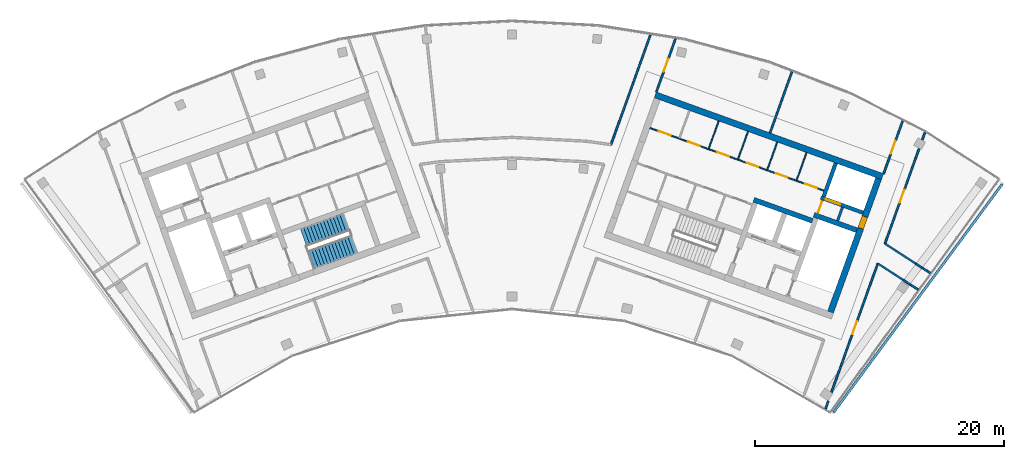
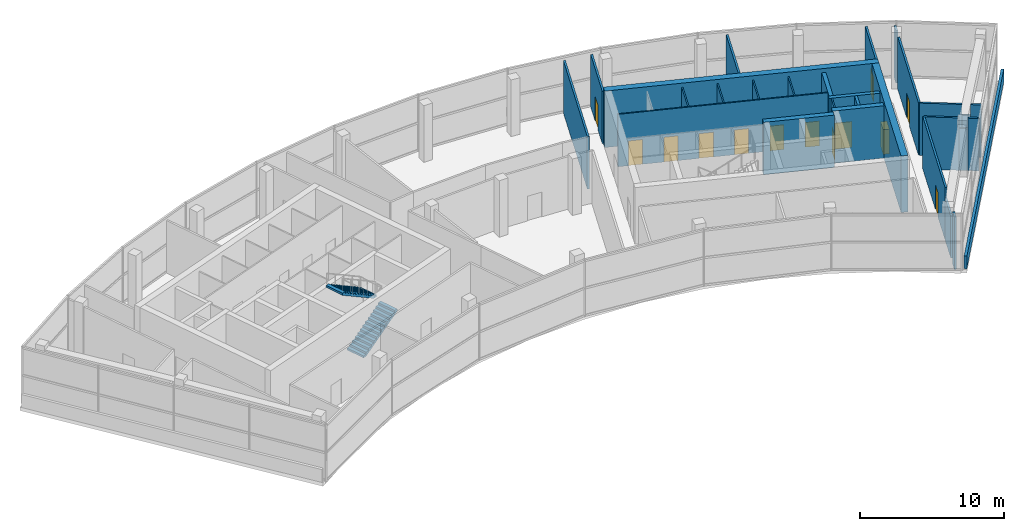
# One storey, part 11 of 13: 29 walls, 13 doors, 2 stair flights, 13 openings, 1 element without a shape of its own.
"""IFC4 building model written with IfcOpenShell, lengths in metres."""

import ifcopenshell
import ifcopenshell.guid

model = None  # the IFC model being written
_history = None  # IfcOwnerHistory: only IFC2X3 demands one
_inside = {}  # id of a spatial element -> (the spatial element, [elements in it])
_under = {}  # id of a project, library or spatial element -> (it, [spatial elements below it])
_declared = {}  # id of a project -> (the project, [libraries it declares])
_typed = {}  # id of a type object -> (the type object, [elements of that type])
_made_of = {}  # id of a material, layer set ... -> (it, [elements and type objects made of it])


def new_model(schema):
    """Start an empty IFC model of exactly this schema.

    Asked for "IFC4X3", IfcOpenShell would pick the latest addendum, in which some entities
    have other attributes; the version numbers below select the first issue.
    IFC2X3 requires an IfcOwnerHistory on every rooted entity: one is made here for all.
    """
    global model, _history
    if schema == "IFC4X3":
        model = ifcopenshell.file(schema_version=(4, 3, 0, 0))
    else:
        model = ifcopenshell.file(schema=schema)
    _inside.clear()
    _under.clear()
    _declared.clear()
    _typed.clear()
    _made_of.clear()
    _history = None
    if model.schema == "IFC2X3":
        org = make("IfcOrganization", Name="unknown")
        user = make(
            "IfcPersonAndOrganization",
            ThePerson=make("IfcPerson", FamilyName="unknown"),
            TheOrganization=org,
        )
        app = make(
            "IfcApplication",
            ApplicationDeveloper=org,
            Version="unknown",
            ApplicationFullName="unknown",
            ApplicationIdentifier="unknown",
        )
        _history = make(
            "IfcOwnerHistory",
            OwningUser=user,
            OwningApplication=app,
            ChangeAction="ADDED",
            CreationDate=0,
        )
    return model


def make(cls, **values):
    """One entity of the class cls with the attributes given. An attribute that is None is left unset."""
    return model.create_entity(
        cls, **{name: value for name, value in values.items() if value is not None}
    )


def rooted(cls, **values):
    """An entity with a GlobalId (a new one), such as an element, a storey or a relation."""
    return make(cls, GlobalId=ifcopenshell.guid.new(), OwnerHistory=_history, **values)


def si_unit(unit_type, name, prefix=None):
    """IfcSIUnit, for example si_unit("LENGTHUNIT", "METRE", prefix="MILLI")."""
    return make("IfcSIUnit", UnitType=unit_type, Prefix=prefix, Name=name)


def assignment(units):
    """IfcUnitAssignment: the units of a project."""
    return None if units is None else make("IfcUnitAssignment", Units=units)


def point(xyz):
    """IfcCartesianPoint."""
    return None if xyz is None else make("IfcCartesianPoint", Coordinates=xyz)


def direction(xyz):
    """IfcDirection."""
    return None if xyz is None else make("IfcDirection", DirectionRatios=xyz)


def frame(location, z_axis=None, x_axis=None):
    """IfcAxis2Placement3D, a coordinate frame: its origin and axes. An axis left out is left unset."""
    return make(
        "IfcAxis2Placement3D",
        Location=point(location),
        Axis=direction(z_axis),
        RefDirection=direction(x_axis),
    )


def frame_2d(location, x_axis=None):
    """IfcAxis2Placement2D, a coordinate frame in the plane: its origin and x axis."""
    return make(
        "IfcAxis2Placement2D", Location=point(location), RefDirection=direction(x_axis)
    )


def origin():
    """The frame at (0, 0, 0) with its axes left unset."""
    return frame((0.0, 0.0, 0.0))


def place(relative_to, where):
    """IfcLocalPlacement: puts the frame where relative to a parent placement (None: the world)."""
    return make(
        "IfcLocalPlacement", PlacementRelTo=relative_to, RelativePlacement=where
    )


def context(
    kind, dimensions, precision=None, world=None, true_north=None, identifier=None
):
    """IfcGeometricRepresentationContext, for example the 3D "Model" context."""
    return make(
        "IfcGeometricRepresentationContext",
        ContextIdentifier=identifier,
        ContextType=kind,
        CoordinateSpaceDimension=dimensions,
        Precision=precision,
        WorldCoordinateSystem=world,
        TrueNorth=true_north,
    )


def subcontext(parent, identifier, kind, view, scale=None):
    """IfcGeometricRepresentationSubContext, for example "Body" below "Model"."""
    return make(
        "IfcGeometricRepresentationSubContext",
        ContextIdentifier=identifier,
        ContextType=kind,
        ParentContext=parent,
        TargetScale=scale,
        TargetView=view,
    )


def project(units=None, contexts=None):
    """IfcProject with its units and contexts."""
    return rooted(
        "IfcProject",
        Name="project",
        RepresentationContexts=contexts,
        UnitsInContext=assignment(units),
    )


def spatial(cls, under=None, at=None, **own):
    """A site, building, storey or space (cls), placed at a placement, below another one or the project."""
    s = rooted(cls, ObjectPlacement=at, **own)
    if under is not None:
        _under.setdefault(under.id(), (under, []))[1].append(s)
    return s


def polyline(points):
    """IfcPolyline through the points."""
    return make("IfcPolyline", Points=[point(p) for p in points])


def profile(cls, at=None, kind="AREA", **sizes):
    """A parametric profile (cls). Its sizes go by their IFC names, for example OverallWidth=200.0."""
    return make(cls, ProfileType=kind, Position=at, **sizes)


def rectangle(**sizes):
    """IfcRectangleProfileDef."""
    return profile("IfcRectangleProfileDef", **sizes)


def outline(outer, holes=None, kind="AREA"):
    """IfcArbitraryClosedProfileDef: a profile drawn as a closed curve; with holes, ...WithVoids."""
    if holes is None:
        return make("IfcArbitraryClosedProfileDef", ProfileType=kind, OuterCurve=outer)
    return make(
        "IfcArbitraryProfileDefWithVoids",
        ProfileType=kind,
        OuterCurve=outer,
        InnerCurves=holes,
    )


def extrude(swept, where, along, depth):
    """IfcExtrudedAreaSolid: the profile swept, set in the frame where, extruded along a direction by depth."""
    return make(
        "IfcExtrudedAreaSolid",
        SweptArea=swept,
        Position=where,
        ExtrudedDirection=direction(along),
        Depth=depth,
    )


def shape(context_of_items, identifier, shape_type, items):
    """IfcShapeRepresentation: the items that make up one representation, for example the "Body"."""
    return make(
        "IfcShapeRepresentation",
        ContextOfItems=context_of_items,
        RepresentationIdentifier=identifier,
        RepresentationType=shape_type,
        Items=items,
    )


def material(Name=None, Category=None):
    """IfcMaterial."""
    return make("IfcMaterial", Name=Name, Category=Category)


def layer(
    of_material, thickness, ventilated=None, Name=None, Category=None, Priority=None
):
    """IfcMaterialLayer: one layer of a wall or slab, of a material (None: an air gap)."""
    return make(
        "IfcMaterialLayer",
        Material=of_material,
        LayerThickness=thickness,
        IsVentilated=ventilated,
        Name=Name,
        Category=Category,
        Priority=Priority,
    )


def layer_set(layers, Name=None):
    """IfcMaterialLayerSet."""
    return make("IfcMaterialLayerSet", MaterialLayers=layers, LayerSetName=Name)


def made_of(thing, what):
    """Note that an element or type object is made of a material, layer set ...; save() writes the relation."""
    if what is not None:
        _made_of.setdefault(what.id(), (what, []))[1].append(thing)
    return thing


def type_object(cls, material=None, **own):
    """A type object (cls), such as IfcWallType, which elements share."""
    return made_of(rooted(cls, **own), material)


def element(
    cls,
    number,
    at=None,
    inside=None,
    cuts=None,
    type_object=None,
    material=None,
    context=None,
    identifier="Body",
    shape_type=None,
    held_by="IfcProductDefinitionShape",
    body=None,
    shapes=None,
    **own,
):
    """One element of the class cls, such as IfcWall. Its Tag is "e" and its number.

    at: its placement. inside: the storey or other place that contains it. cuts: it is an
    opening in that element (IfcRelVoidsElement). A single representation is given by context,
    identifier, shape_type and body (its items); several are given by shapes. held_by: the class
    of the entity that holds the representations. save() writes the other relations.
    """
    e = rooted(cls, Tag="e%d" % number, ObjectPlacement=at, **own)
    if body is not None:
        shapes = [shape(context, identifier, shape_type, body)]
    if shapes is not None:
        e.Representation = make(held_by, Representations=shapes)
    if inside is not None:
        _inside.setdefault(inside.id(), (inside, []))[1].append(e)
    if cuts is not None:
        rooted(
            "IfcRelVoidsElement", RelatingBuildingElement=cuts, RelatedOpeningElement=e
        )
    if type_object is not None:
        _typed.setdefault(type_object.id(), (type_object, []))[1].append(e)
    return made_of(e, material)


def fill(opening, filler):
    """IfcRelFillsElement: the door or window that sits in an opening."""
    return rooted(
        "IfcRelFillsElement",
        RelatingOpeningElement=opening,
        RelatedBuildingElement=filler,
    )


def aggregate(whole, parts):
    """IfcRelAggregates: a whole, such as a stair, and the parts it consists of."""
    return rooted("IfcRelAggregates", RelatingObject=whole, RelatedObjects=parts)


def save(model, path):
    """Write the relations noted so far, then the file.

    IfcRelAggregates (storeys below a building ...), IfcRelContainedInSpatialStructure (elements
    in a storey), IfcRelDefinesByType, IfcRelAssociatesMaterial and IfcRelDeclares: one each for
    every whole, place, type object, material and project.
    """
    for whole, parts in _under.values():
        aggregate(whole, parts)
    for where, things in _inside.values():
        rooted(
            "IfcRelContainedInSpatialStructure",
            RelatedElements=things,
            RelatingStructure=where,
        )
    for kind, things in _typed.values():
        rooted("IfcRelDefinesByType", RelatedObjects=things, RelatingType=kind)
    for what, things in _made_of.values():
        rooted("IfcRelAssociatesMaterial", RelatedObjects=things, RelatingMaterial=what)
    for by, libraries in _declared.values():
        rooted("IfcRelDeclares", RelatingContext=by, RelatedDefinitions=libraries)
    model.write(path)


model = new_model("IFC4")

# Units and contexts
model_context = context("Model", 3, precision=1e-05, world=origin(), true_north=direction((0.0, 1.0)))
body_context = subcontext(model_context, "Body", "Model", "MODEL_VIEW")
ifc_project = project(units=[si_unit("LENGTHUNIT", "METRE"), si_unit("AREAUNIT", "SQUARE_METRE"), si_unit("VOLUMEUNIT", "CUBIC_METRE"), si_unit("PLANEANGLEUNIT", "RADIAN"), si_unit("MASSUNIT", "GRAM", prefix="KILO")], contexts=[model_context])

# Site, building, storey
site_placement = place(None, origin())
site = spatial("IfcSite", under=ifc_project, at=site_placement, CompositionType="ELEMENT")
building_placement = place(site_placement, origin())
building = spatial("IfcBuilding", under=site, at=building_placement, Name="Stone Belt Terrace Tower", CompositionType="ELEMENT")
storey_placement = place(building_placement, frame((0.0, 0.0, 332.60009765625)))
storey = spatial("IfcBuildingStorey", under=building, at=storey_placement, Name="L79", CompositionType="ELEMENT", Elevation=332.60009765625)

# Wall, opening, door
ifc_material_1 = material(Name="Plasterboard partition")
ifc_layer_1 = layer(ifc_material_1, 0.10009765625)
ifc_layer_set_1 = layer_set([ifc_layer_1], Name="Core partition 100")
wall_type_1 = type_object("IfcWallType", Name="Core partition 100", PredefinedType="PARTITIONING", material=ifc_layer_set_1)
wall_1_placement = place(storey_placement, frame((24.555908203125, 51.10400390625, 0.0), z_axis=(0.0, 0.0, 1.0), x_axis=(0.338621735342, 0.94092258999, 0.0)))
wall_1 = element("IfcWall", 1, at=wall_1_placement, inside=storey, type_object=wall_type_1, Name="Core B wall", PredefinedType="PARTITIONING", context=body_context, shape_type="SweptSolid", body=[
    extrude(rectangle(XDim=1.14990234375, YDim=0.10009765625, at=frame_2d((0.574951171875, 0.0))), origin(), (0.0, 0.0, 1.0), 4.449951171875),
])
opening_1_placement = place(wall_1_placement, frame((0.050048828125, 0.0, 0.0)))
opening_1 = element("IfcOpeningElement", 2, at=opening_1_placement, cuts=wall_1, Name="Opening L79-C31", PredefinedType="OPENING", context=body_context, shape_type="SweptSolid", body=[
    extrude(rectangle(XDim=1.0, YDim=2.10009765625, at=frame_2d((0.5, 1.050048828125))), frame((0.0, 0.06005859375, 0.0), z_axis=(0.0, -1.0, 0.0), x_axis=(1.0, 0.0, 0.0)), (0.0, 0.0, 1.0), 0.1201171875),
])
ifc_material_2 = material(Name="Timber door leaf", Category="wood")
door_type_1 = type_object("IfcDoorType", Name="Core room door 1000", OperationType="SINGLE_SWING_LEFT", PredefinedType="DOOR", material=ifc_material_2)
door_1_placement = place(opening_1_placement, origin())
door_1 = element("IfcDoor", 3, at=door_1_placement, inside=storey, type_object=door_type_1, Name="Service lift lobby door core B", OperationType="SINGLE_SWING_RIGHT", OverallHeight=2.10009765625, OverallWidth=1.0, PredefinedType="DOOR", context=body_context, shape_type="SweptSolid", body=[
    extrude(rectangle(XDim=1.0, YDim=2.10009765625, at=frame_2d((0.5, 1.050048828125))), frame((0.0, 0.02490234375, 0.0), z_axis=(0.0, -1.0, 0.0), x_axis=(1.0, 0.0, 0.0)), (0.0, 0.0, 1.0), 0.050048828125),
])
fill(opening_1, door_1)

# Wall, openings, doors
wall_2_placement = place(storey_placement, frame((25.05810546875, 52.9423828125, 0.0), z_axis=(0.0, 0.0, 1.0), x_axis=(-0.940918215764, 0.338633889685, 0.0)))
wall_2 = element("IfcWall", 4, at=wall_2_placement, inside=storey, type_object=wall_type_1, Name="Core B wall", PredefinedType="PARTITIONING", context=body_context, shape_type="SweptSolid", body=[
    extrude(rectangle(XDim=14.850341796875, YDim=0.10009765625, at=frame_2d((7.42529296875, 0.0))), origin(), (0.0, 0.0, 1.0), 4.449951171875),
])
opening_2_placement = place(wall_2_placement, frame((0.60009765625, 0.0, 0.0)))
opening_2 = element("IfcOpeningElement", 5, at=opening_2_placement, cuts=wall_2, Name="Opening L79-C20", PredefinedType="OPENING", context=body_context, shape_type="SweptSolid", body=[
    extrude(rectangle(XDim=1.0, YDim=2.10009765625, at=frame_2d((0.5, 1.050048828125))), frame((0.0, 0.06005859375, 0.0), z_axis=(0.0, -1.0, 0.0), x_axis=(1.0, 0.0, 0.0)), (0.0, 0.0, 1.0), 0.1201171875),
])
opening_3_placement = place(wall_2_placement, frame((3.10009765625, 0.0, 0.0)))
opening_3 = element("IfcOpeningElement", 6, at=opening_3_placement, cuts=wall_2, Name="Opening L79-C21", PredefinedType="OPENING", context=body_context, shape_type="SweptSolid", body=[
    extrude(rectangle(XDim=1.0, YDim=2.10009765625, at=frame_2d((0.5, 1.050048828125))), frame((0.0, 0.06005859375, 0.0), z_axis=(0.0, -1.0, 0.0), x_axis=(1.0, 0.0, 0.0)), (0.0, 0.0, 1.0), 0.1201171875),
])
opening_4_placement = place(wall_2_placement, frame((5.60009765625, 0.0, 0.0)))
opening_4 = element("IfcOpeningElement", 7, at=opening_4_placement, cuts=wall_2, Name="Opening L79-C22", PredefinedType="OPENING", context=body_context, shape_type="SweptSolid", body=[
    extrude(rectangle(XDim=1.0, YDim=2.10009765625, at=frame_2d((0.5, 1.050048828125))), frame((0.0, 0.06005859375, 0.0), z_axis=(0.0, -1.0, 0.0), x_axis=(1.0, 0.0, 0.0)), (0.0, 0.0, 1.0), 0.1201171875),
])
opening_5_placement = place(wall_2_placement, frame((8.10009765625, 0.0, 0.0)))
opening_5 = element("IfcOpeningElement", 8, at=opening_5_placement, cuts=wall_2, Name="Opening L79-C23", PredefinedType="OPENING", context=body_context, shape_type="SweptSolid", body=[
    extrude(rectangle(XDim=1.0, YDim=2.10009765625, at=frame_2d((0.5, 1.050048828125))), frame((0.0, 0.06005859375, 0.0), z_axis=(0.0, -1.0, 0.0), x_axis=(1.0, 0.0, 0.0)), (0.0, 0.0, 1.0), 0.1201171875),
])
opening_6_placement = place(wall_2_placement, frame((10.60009765625, 0.0, 0.0)))
opening_6 = element("IfcOpeningElement", 9, at=opening_6_placement, cuts=wall_2, Name="Opening L79-C24", PredefinedType="OPENING", context=body_context, shape_type="SweptSolid", body=[
    extrude(rectangle(XDim=1.0, YDim=2.10009765625, at=frame_2d((0.5, 1.050048828125))), frame((0.0, 0.06005859375, 0.0), z_axis=(0.0, -1.0, 0.0), x_axis=(1.0, 0.0, 0.0)), (0.0, 0.0, 1.0), 0.1201171875),
])
opening_7_placement = place(wall_2_placement, frame((13.10009765625, 0.0, 0.0)))
opening_7 = element("IfcOpeningElement", 10, at=opening_7_placement, cuts=wall_2, Name="Opening L79-C25", PredefinedType="OPENING", context=body_context, shape_type="SweptSolid", body=[
    extrude(rectangle(XDim=1.0, YDim=2.10009765625, at=frame_2d((0.5, 1.050048828125))), frame((0.0, 0.06005859375, 0.0), z_axis=(0.0, -1.0, 0.0), x_axis=(1.0, 0.0, 0.0)), (0.0, 0.0, 1.0), 0.1201171875),
])
door_2_placement = place(opening_2_placement, origin())
door_2 = element("IfcDoor", 11, at=door_2_placement, inside=storey, type_object=door_type_1, Name="Door to Electrical room core B", OperationType="SINGLE_SWING_RIGHT", OverallHeight=2.10009765625, OverallWidth=1.0, PredefinedType="DOOR", context=body_context, shape_type="SweptSolid", body=[
    extrude(rectangle(XDim=1.0, YDim=2.10009765625, at=frame_2d((0.5, 1.050048828125))), frame((0.0, 0.02490234375, 0.0), z_axis=(0.0, -1.0, 0.0), x_axis=(1.0, 0.0, 0.0)), (0.0, 0.0, 1.0), 0.050048828125),
])
fill(opening_2, door_2)
door_3_placement = place(opening_3_placement, origin())
door_3 = element("IfcDoor", 12, at=door_3_placement, inside=storey, type_object=door_type_1, Name="Door to Ventilation plant room core B", OperationType="SINGLE_SWING_LEFT", OverallHeight=2.10009765625, OverallWidth=1.0, PredefinedType="DOOR", context=body_context, shape_type="SweptSolid", body=[
    extrude(rectangle(XDim=1.0, YDim=2.10009765625, at=frame_2d((0.5, 1.050048828125))), frame((0.0, 0.02490234375, 0.0), z_axis=(0.0, -1.0, 0.0), x_axis=(1.0, 0.0, 0.0)), (0.0, 0.0, 1.0), 0.050048828125),
])
fill(opening_3, door_3)
door_4_placement = place(opening_4_placement, origin())
door_4 = element("IfcDoor", 13, at=door_4_placement, inside=storey, type_object=door_type_1, Name="Door to Services store core B", OperationType="SINGLE_SWING_RIGHT", OverallHeight=2.10009765625, OverallWidth=1.0, PredefinedType="DOOR", context=body_context, shape_type="SweptSolid", body=[
    extrude(rectangle(XDim=1.0, YDim=2.10009765625, at=frame_2d((0.5, 1.050048828125))), frame((0.0, 0.02490234375, 0.0), z_axis=(0.0, -1.0, 0.0), x_axis=(1.0, 0.0, 0.0)), (0.0, 0.0, 1.0), 0.050048828125),
])
fill(opening_4, door_4)
door_5_placement = place(opening_5_placement, origin())
door_5 = element("IfcDoor", 14, at=door_5_placement, inside=storey, type_object=door_type_1, Name="Door to Server room core B", OperationType="SINGLE_SWING_LEFT", OverallHeight=2.10009765625, OverallWidth=1.0, PredefinedType="DOOR", context=body_context, shape_type="SweptSolid", body=[
    extrude(rectangle(XDim=1.0, YDim=2.10009765625, at=frame_2d((0.5, 1.050048828125))), frame((0.0, 0.02490234375, 0.0), z_axis=(0.0, -1.0, 0.0), x_axis=(1.0, 0.0, 0.0)), (0.0, 0.0, 1.0), 0.050048828125),
])
fill(opening_5, door_5)
door_6_placement = place(opening_6_placement, origin())
door_6 = element("IfcDoor", 15, at=door_6_placement, inside=storey, type_object=door_type_1, Name="Door to Plant room core B", OperationType="SINGLE_SWING_RIGHT", OverallHeight=2.10009765625, OverallWidth=1.0, PredefinedType="DOOR", context=body_context, shape_type="SweptSolid", body=[
    extrude(rectangle(XDim=1.0, YDim=2.10009765625, at=frame_2d((0.5, 1.050048828125))), frame((0.0, 0.02490234375, 0.0), z_axis=(0.0, -1.0, 0.0), x_axis=(1.0, 0.0, 0.0)), (0.0, 0.0, 1.0), 0.050048828125),
])
fill(opening_6, door_6)
door_7_placement = place(opening_7_placement, origin())
door_7 = element("IfcDoor", 16, at=door_7_placement, inside=storey, type_object=door_type_1, Name="Door to Electrical room core B", OperationType="SINGLE_SWING_LEFT", OverallHeight=2.10009765625, OverallWidth=1.0, PredefinedType="DOOR", context=body_context, shape_type="SweptSolid", body=[
    extrude(rectangle(XDim=1.0, YDim=2.10009765625, at=frame_2d((0.5, 1.050048828125))), frame((0.0, 0.02490234375, 0.0), z_axis=(0.0, -1.0, 0.0), x_axis=(1.0, 0.0, 0.0)), (0.0, 0.0, 1.0), 0.050048828125),
])
fill(opening_7, door_7)

# Walls
for number, where, z_axis, x_axis, name in (
    (17, (22.86376953125, 53.785400390625, 0.0), (0.0, 0.0, 1.0), (0.338579668317, 0.940937728121, 0.0), "Core B wall"),
    (18, (20.511474609375, 54.6318359375, 0.0), (0.0, 0.0, 1.0), (0.338579668317, 0.940937728121, 0.0), "Core B wall"),
    (19, (18.1591796875, 55.478515625, 0.0), (0.0, 0.0, 1.0), (0.338579668317, 0.940937728121, 0.0), "Core B wall"),
    (20, (15.806884765625, 56.324951171875, 0.0), (0.0, 0.0, 1.0), (0.338579668317, 0.940937728121, 0.0), "Core B wall"),
):
    element("IfcWall", number, at=place(storey_placement, frame(where, z_axis=z_axis, x_axis=x_axis)), inside=storey, type_object=wall_type_1, Name=name, PredefinedType="PARTITIONING", context=body_context, shape_type="SweptSolid", body=[
        extrude(rectangle(XDim=2.35009765625, YDim=0.10009765625, at=frame_2d((1.175048828125, 0.0))), origin(), (0.0, 0.0, 1.0), 4.449951171875),
    ])
ifc_material_3 = material(Name="Concrete B60", Category="concrete")
ifc_layer_2 = layer(ifc_material_3, 0.5)
ifc_layer_set_2 = layer_set([ifc_layer_2], Name="Core wall 500 B60")
wall_type_2 = type_object("IfcWallType", Name="Core wall 500 B60", PredefinedType="SHEAR", material=ifc_layer_set_2)
wall_3_placement = place(storey_placement, frame((11.51220703125, 60.6337890625, 0.0), z_axis=(0.0, 0.0, 1.0), x_axis=(0.940921417488, -0.338624993336, 0.0)))
element("IfcWall", 21, at=wall_3_placement, inside=storey, type_object=wall_type_2, Name="Core B wall convex L79", PredefinedType="SHEAR", context=body_context, shape_type="SweptSolid", body=[
    extrude(rectangle(XDim=19.400146484375, YDim=0.5, at=frame_2d((9.7001953125, 0.0))), origin(), (0.0, 0.0, 1.0), 4.7998046875),
])

# Wall, opening, door
wall_4_placement = place(storey_placement, frame((25.5859375, 43.1875, 0.0), z_axis=(0.0, 0.0, 1.0), x_axis=(0.338632255135, 0.940918804033, 0.0)))
wall_4 = element("IfcWall", 22, at=wall_4_placement, inside=storey, type_object=wall_type_2, Name="Core B wall end_b L79", PredefinedType="SHEAR", context=body_context, shape_type="SweptSolid", body=[
    extrude(rectangle(XDim=11.39990234375, YDim=0.5, at=frame_2d((5.699951171875, 0.0))), origin(), (0.0, 0.0, 1.0), 4.7998046875),
])
opening_8_placement = place(wall_4_placement, frame((7.150146484375, 0.0, 0.0)))
opening_8 = element("IfcOpeningElement", 23, at=opening_8_placement, cuts=wall_4, Name="Opening L79-C30", PredefinedType="OPENING", context=body_context, shape_type="SweptSolid", body=[
    extrude(rectangle(XDim=1.0, YDim=2.10009765625, at=frame_2d((0.5, 1.050048828125))), frame((0.0, 0.260009765625, 0.0), z_axis=(0.0, -1.0, 0.0), x_axis=(1.0, 0.0, 0.0)), (0.0, 0.0, 1.0), 0.52001953125),
])
door_8_placement = place(opening_8_placement, origin())
door_8 = element("IfcDoor", 24, at=door_8_placement, inside=storey, type_object=door_type_1, Name="Door to Plant riser room core B", OperationType="SINGLE_SWING_LEFT", OverallHeight=2.10009765625, OverallWidth=1.0, PredefinedType="DOOR", context=body_context, shape_type="SweptSolid", body=[
    extrude(rectangle(XDim=1.0, YDim=2.10009765625, at=frame_2d((0.5, 1.050048828125))), frame((0.0, 0.22998046875, 0.0), z_axis=(0.0, -1.0, 0.0), x_axis=(1.0, 0.0, 0.0)), (0.0, 0.0, 1.0), 0.4599609375),
])
fill(opening_8, door_8)

# Wall
ifc_material_4 = material(Name="Concrete B80", Category="concrete")
ifc_layer_3 = layer(ifc_material_4, 0.39990234375)
ifc_layer_set_3 = layer_set([ifc_layer_3], Name="Fire-fighting lift shaft wall 400")
wall_type_3 = type_object("IfcWallType", Name="Fire-fighting lift shaft wall 400", PredefinedType="SHEAR", material=ifc_layer_set_3)
wall_5_placement = place(storey_placement, frame((24.130615234375, 50.512939453125, 0.0), z_axis=(0.0, 0.0, 1.0), x_axis=(-0.94091168377, 0.338652038744, 0.0)))
element("IfcWall", 25, at=wall_5_placement, inside=storey, type_object=wall_type_3, Name="Core B wall", PredefinedType="SHEAR", context=body_context, shape_type="SweptSolid", body=[
    extrude(rectangle(XDim=5.000244140625, YDim=0.39990234375, at=frame_2d((2.5, 0.0))), origin(), (0.0, 0.0, 1.0), 4.449951171875),
])

# Wall, opening, door
ifc_layer_4 = layer(ifc_material_4, 0.300048828125)
ifc_layer_set_4 = layer_set([ifc_layer_4], Name="Lift shaft wall 300")
wall_type_4 = type_object("IfcWallType", Name="Lift shaft wall 300", PredefinedType="SHEAR", material=ifc_layer_set_4)
wall_6_placement = place(storey_placement, frame((28.195068359375, 51.17578125, 0.0), z_axis=(0.0, 0.0, 1.0), x_axis=(-0.940901243567, 0.338681044427, 0.0)))
wall_6 = element("IfcWall", 26, at=wall_6_placement, inside=storey, type_object=wall_type_4, Name="Core B wall", PredefinedType="SHEAR", context=body_context, shape_type="SweptSolid", body=[
    extrude(rectangle(XDim=3.599853515625, YDim=0.300048828125, at=frame_2d((1.7998046875, 0.0))), origin(), (0.0, 0.0, 1.0), 4.449951171875),
])
opening_9_placement = place(wall_6_placement, frame((1.969970703125, 0.0, 0.0)))
opening_9 = element("IfcOpeningElement", 27, at=opening_9_placement, cuts=wall_6, Name="Opening L79-LD06", PredefinedType="OPENING", context=body_context, shape_type="SweptSolid", body=[
    extrude(rectangle(XDim=1.199951171875, YDim=2.199951171875, at=frame_2d((0.60009765625, 1.10009765625))), frame((0.0, 0.159912109375, 0.0), z_axis=(0.0, -1.0, 0.0), x_axis=(1.0, 0.0, 0.0)), (0.0, 0.0, 1.0), 0.320068359375),
])
ifc_material_5 = material(Name="Stainless steel door leaf", Category="steel")
door_type_2 = type_object("IfcDoorType", Name="Landing door 1200", OperationType="SLIDING_TO_LEFT", PredefinedType="DOOR", material=ifc_material_5)
door_9_placement = place(opening_9_placement, origin())
door_9 = element("IfcDoor", 28, at=door_9_placement, inside=storey, type_object=door_type_2, Name="Landing door SV1 core B", OperationType="SLIDING_TO_LEFT", OverallHeight=2.199951171875, OverallWidth=1.199951171875, PredefinedType="DOOR", context=body_context, shape_type="SweptSolid", body=[
    extrude(rectangle(XDim=1.199951171875, YDim=2.199951171875, at=frame_2d((0.60009765625, 1.10009765625))), frame((0.0, 0.02490234375, 0.0), z_axis=(0.0, -1.0, 0.0), x_axis=(1.0, 0.0, 0.0)), (0.0, 0.0, 1.0), 0.050048828125),
])
fill(opening_9, door_9)

# Wall
wall_7_placement = place(storey_placement, frame((25.046875, 52.46826171875, 0.0), z_axis=(0.0, 0.0, 1.0), x_axis=(0.338549588058, 0.940948551423, 0.0)))
element("IfcWall", 29, at=wall_7_placement, inside=storey, type_object=wall_type_4, Name="Core B wall", PredefinedType="SHEAR", context=body_context, shape_type="SweptSolid", body=[
    extrude(rectangle(XDim=2.849853515625, YDim=0.300048828125, at=frame_2d((1.4248046875, 0.0))), origin(), (0.0, 0.0, 1.0), 4.449951171875),
])

# Wall, opening, door
ifc_material_6 = material(Name="Gypsum board partition")
ifc_layer_5 = layer(ifc_material_6, 0.14990234375)
ifc_layer_set_5 = layer_set([ifc_layer_5], Name="PARTITION 150 EI 60")
wall_type_5 = type_object("IfcWallType", Name="PARTITION 150 EI 60", PredefinedType="PARTITIONING", material=ifc_layer_set_5)
wall_8_placement = place(storey_placement, frame((13.138916015625, 65.154052734375, 0.0), z_axis=(0.0, 0.0, 1.0), x_axis=(-0.338590379807, -0.940933873714, 0.0)))
wall_8 = element("IfcWall", 30, at=wall_8_placement, inside=storey, type_object=wall_type_5, Name="L79/wall/i017", PredefinedType="PARTITIONING", context=body_context, shape_type="SweptSolid", body=[
    extrude(rectangle(XDim=4.55419921875, YDim=0.14990234375, at=frame_2d((2.277099609375, 0.0))), origin(), (0.0, 0.0, 1.0), 4.449951171875),
])
opening_10_placement = place(wall_8_placement, frame((1.72705078125, 0.0, 0.0)))
opening_10 = element("IfcOpeningElement", 31, at=opening_10_placement, cuts=wall_8, Name="Opening D-C79-07", PredefinedType="OPENING", context=body_context, shape_type="SweptSolid", body=[
    extrude(rectangle(XDim=1.10009765625, YDim=2.10009765625, at=frame_2d((0.550048828125, 1.050048828125))), frame((0.0, 0.0849609375, 0.0), z_axis=(0.0, -1.0, 0.0), x_axis=(1.0, 0.0, 0.0)), (0.0, 0.0, 1.0), 0.169921875),
])
ifc_material_7 = material(Name="Steel fire door set", Category="steel")
door_type_3 = type_object("IfcDoorType", Name="SERVICE ROOM DOOR 1100 X 2100", OperationType="NOTDEFINED", PredefinedType="DOOR", material=ifc_material_7)
door_10_placement = place(opening_10_placement, origin())
door_10 = element("IfcDoor", 32, at=door_10_placement, inside=storey, type_object=door_type_3, Name="L79/door/i07", OperationType="SINGLE_SWING_RIGHT", OverallHeight=2.10009765625, OverallWidth=1.10009765625, PredefinedType="DOOR", context=body_context, shape_type="SweptSolid", body=[
    extrude(rectangle(XDim=1.10009765625, YDim=2.10009765625, at=frame_2d((0.550048828125, 1.050048828125))), frame((0.0, 0.02490234375, 0.0), z_axis=(0.0, -1.0, 0.0), x_axis=(1.0, 0.0, 0.0)), (0.0, 0.0, 1.0), 0.050048828125),
])
fill(opening_10, door_10)

# Wall
wall_9_placement = place(storey_placement, frame((7.947021484375, 56.632080078125, 0.0), z_axis=(0.0, 0.0, 1.0), x_axis=(0.338667938609, 0.940905960954, 0.0)))
element("IfcWall", 33, at=wall_9_placement, inside=storey, type_object=wall_type_5, Name="L79/wall/i019", PredefinedType="PARTITIONING", context=body_context, shape_type="SweptSolid", body=[
    extrude(rectangle(XDim=9.395263671875, YDim=0.14990234375, at=frame_2d((4.69775390625, 0.0))), origin(), (0.0, 0.0, 1.0), 4.449951171875),
])

# Wall, opening, door
wall_10_placement = place(storey_placement, frame((29.85107421875, 54.300048828125, 0.0), z_axis=(0.0, 0.0, 1.0), x_axis=(0.338516288838, 0.940960531686, 0.0)))
wall_10 = element("IfcWall", 34, at=wall_10_placement, inside=storey, type_object=wall_type_5, Name="L79/wall/i021", PredefinedType="PARTITIONING", context=body_context, shape_type="SweptSolid", body=[
    extrude(rectangle(XDim=4.510498046875, YDim=0.14990234375, at=frame_2d((2.25537109375, 0.0))), origin(), (0.0, 0.0, 1.0), 4.449951171875),
])
opening_11_placement = place(wall_10_placement, frame((1.705078125, 0.0, 0.0)))
opening_11 = element("IfcOpeningElement", 35, at=opening_11_placement, cuts=wall_10, Name="Opening D-C79-08", PredefinedType="OPENING", context=body_context, shape_type="SweptSolid", body=[
    extrude(rectangle(XDim=1.10009765625, YDim=2.10009765625, at=frame_2d((0.550048828125, 1.050048828125))), frame((0.0, 0.0849609375, 0.0), z_axis=(0.0, -1.0, 0.0), x_axis=(1.0, 0.0, 0.0)), (0.0, 0.0, 1.0), 0.169921875),
])
door_11_placement = place(opening_11_placement, origin())
door_11 = element("IfcDoor", 36, at=door_11_placement, inside=storey, type_object=door_type_3, Name="L79/door/i08", OperationType="SINGLE_SWING_RIGHT", OverallHeight=2.10009765625, OverallWidth=1.10009765625, PredefinedType="DOOR", context=body_context, shape_type="SweptSolid", body=[
    extrude(rectangle(XDim=1.10009765625, YDim=2.10009765625, at=frame_2d((0.550048828125, 1.050048828125))), frame((0.0, 0.02490234375, 0.0), z_axis=(0.0, -1.0, 0.0), x_axis=(1.0, 0.0, 0.0)), (0.0, 0.0, 1.0), 0.050048828125),
])
fill(opening_11, door_11)

wall_11_placement = place(storey_placement, frame((29.384033203125, 47.09912109375, 0.0), z_axis=(0.0, 0.0, 1.0), x_axis=(-0.338577788823, -0.940938404422, 0.0)))
wall_11 = element("IfcWall", 37, at=wall_11_placement, inside=storey, type_object=wall_type_5, Name="L79/wall/i022-1", PredefinedType="PARTITIONING", context=body_context, shape_type="SweptSolid", body=[
    extrude(rectangle(XDim=8.787109375, YDim=0.14990234375, at=frame_2d((4.3935546875, 0.0))), origin(), (0.0, 0.0, 1.0), 4.449951171875),
])
opening_12_placement = place(wall_11_placement, frame((4.947265625, 0.0, 0.0)))
opening_12 = element("IfcOpeningElement", 38, at=opening_12_placement, cuts=wall_11, Name="Opening D-C79-09", PredefinedType="OPENING", context=body_context, shape_type="SweptSolid", body=[
    extrude(rectangle(XDim=1.10009765625, YDim=2.10009765625, at=frame_2d((0.550048828125, 1.050048828125))), frame((0.0, 0.0849609375, 0.0), z_axis=(0.0, -1.0, 0.0), x_axis=(1.0, 0.0, 0.0)), (0.0, 0.0, 1.0), 0.169921875),
])
door_12_placement = place(opening_12_placement, origin())
door_12 = element("IfcDoor", 39, at=door_12_placement, inside=storey, type_object=door_type_3, Name="L79/door/i09", OperationType="SINGLE_SWING_RIGHT", OverallHeight=2.10009765625, OverallWidth=1.10009765625, PredefinedType="DOOR", context=body_context, shape_type="SweptSolid", body=[
    extrude(rectangle(XDim=1.10009765625, YDim=2.10009765625, at=frame_2d((0.550048828125, 1.050048828125))), frame((0.0, 0.02490234375, 0.0), z_axis=(0.0, -1.0, 0.0), x_axis=(1.0, 0.0, 0.0)), (0.0, 0.0, 1.0), 0.050048828125),
])
fill(opening_12, door_12)

# Walls
wall_12_placement = place(storey_placement, frame((26.408935546875, 38.8310546875, 0.0), z_axis=(0.0, 0.0, 1.0), x_axis=(-0.338598077301, -0.940931103773, 0.0)))
element("IfcWall", 40, at=wall_12_placement, inside=storey, type_object=wall_type_5, Name="L79/wall/i022-2", PredefinedType="PARTITIONING", context=body_context, shape_type="SweptSolid", body=[
    extrude(rectangle(XDim=2.207763671875, YDim=0.14990234375, at=frame_2d((1.10400390625, 0.0))), origin(), (0.0, 0.0, 1.0), 3.5498046875),
])
wall_13_placement = place(storey_placement, frame((25.402587890625, 36.0341796875, 0.0), z_axis=(0.0, 0.0, 1.0), x_axis=(-0.338613354987, -0.940925605893, 0.0)))
element("IfcWall", 41, at=wall_13_placement, inside=storey, type_object=wall_type_5, Name="L79/wall/i023", PredefinedType="PARTITIONING", context=body_context, shape_type="SweptSolid", body=[
    extrude(rectangle(XDim=0.65185546875, YDim=0.14990234375, at=frame_2d((0.325927734375, 0.0))), origin(), (0.0, 0.0, 1.0), 4.449951171875),
])
wall_14_placement = place(storey_placement, frame((33.173828125, 57.628173828125, 0.0), z_axis=(0.0, 0.0, 1.0), x_axis=(-0.33837942702, -0.941009757319, 0.0)))
element("IfcWall", 42, at=wall_14_placement, inside=storey, type_object=wall_type_5, Name="L79/wall/i024", PredefinedType="PARTITIONING", context=body_context, shape_type="SweptSolid", body=[
    extrude(rectangle(XDim=0.6357421875, YDim=0.14990234375, at=frame_2d((0.31787109375, 0.0))), origin(), (0.0, 0.0, 1.0), 4.449951171875),
])

# Wall, opening, door
wall_15_placement = place(storey_placement, frame((32.697265625, 56.303466796875, 0.0), z_axis=(0.0, 0.0, 1.0), x_axis=(-0.338576481112, -0.940938874974, 0.0)))
wall_15 = element("IfcWall", 43, at=wall_15_placement, inside=storey, type_object=wall_type_5, Name="L79/wall/i025", PredefinedType="PARTITIONING", context=body_context, shape_type="SweptSolid", body=[
    extrude(rectangle(XDim=8.10205078125, YDim=0.14990234375, at=frame_2d((4.051025390625, 0.0))), origin(), (0.0, 0.0, 1.0), 4.449951171875),
])
opening_13_placement = place(wall_15_placement, frame((3.5009765625, 0.0, 0.0)))
opening_13 = element("IfcOpeningElement", 44, at=opening_13_placement, cuts=wall_15, Name="Opening D-C79-10", PredefinedType="OPENING", context=body_context, shape_type="SweptSolid", body=[
    extrude(rectangle(XDim=1.10009765625, YDim=2.10009765625, at=frame_2d((0.550048828125, 1.050048828125))), frame((0.0, 0.0849609375, 0.0), z_axis=(0.0, -1.0, 0.0), x_axis=(1.0, 0.0, 0.0)), (0.0, 0.0, 1.0), 0.169921875),
])
door_13_placement = place(opening_13_placement, origin())
door_13 = element("IfcDoor", 45, at=door_13_placement, inside=storey, type_object=door_type_3, Name="L79/door/i10", OperationType="SINGLE_SWING_RIGHT", OverallHeight=2.10009765625, OverallWidth=1.10009765625, PredefinedType="DOOR", context=body_context, shape_type="SweptSolid", body=[
    extrude(rectangle(XDim=1.10009765625, YDim=2.10009765625, at=frame_2d((0.550048828125, 1.050048828125))), frame((0.0, 0.02490234375, 0.0), z_axis=(0.0, -1.0, 0.0), x_axis=(1.0, 0.0, 0.0)), (0.0, 0.0, 1.0), 0.050048828125),
])
fill(opening_13, door_13)

# Walls
wall_16_placement = place(storey_placement, frame((22.492919921875, 62.4990234375, 0.0), z_axis=(0.0, 0.0, 1.0), x_axis=(-0.338615199904, -0.940924941956, 0.0)))
element("IfcWall", 46, at=wall_16_placement, inside=storey, type_object=wall_type_5, Name="L79/wall/i029", PredefinedType="PARTITIONING", context=body_context, shape_type="SweptSolid", body=[
    extrude(rectangle(XDim=5.2236328125, YDim=0.14990234375, at=frame_2d((2.61181640625, 0.0))), origin(), (0.0, 0.0, 1.0), 4.449951171875),
])
wall_17_placement = place(storey_placement, frame((32.616943359375, 44.992431640625, 0.0), z_axis=(0.0, 0.0, 1.0), x_axis=(-0.838621970636, 0.544713861001, 0.0)))
element("IfcWall", 47, at=wall_17_placement, inside=storey, type_object=wall_type_5, Name="L79/wall/i030-1", PredefinedType="PARTITIONING", context=body_context, shape_type="SweptSolid", body=[
    extrude(rectangle(XDim=0.78173828125, YDim=0.14990234375, at=frame_2d((0.390869140625, 0.0))), origin(), (0.0, 0.0, 1.0), 4.449951171875),
])
wall_18_placement = place(storey_placement, frame((31.96142578125, 45.418212890625, 0.0), z_axis=(0.0, 0.0, 1.0), x_axis=(-0.838744476061, 0.544525209589, 0.0)))
element("IfcWall", 48, at=wall_18_placement, inside=storey, type_object=wall_type_5, Name="L79/wall/i030-2", PredefinedType="PARTITIONING", context=body_context, shape_type="SweptSolid", body=[
    extrude(rectangle(XDim=0.611572265625, YDim=0.14990234375, at=frame_2d((0.3056640625, 0.0))), origin(), (0.0, 0.0, 1.0), 3.5498046875),
])
wall_19_placement = place(storey_placement, frame((31.448486328125, 45.751220703125, 0.0), z_axis=(0.0, 0.0, 1.0), x_axis=(-0.838697084296, 0.544598201239, 0.0)))
element("IfcWall", 49, at=wall_19_placement, inside=storey, type_object=wall_type_5, Name="L79/wall/i030-3", PredefinedType="PARTITIONING", context=body_context, shape_type="SweptSolid", body=[
    extrude(rectangle(XDim=2.4638671875, YDim=0.14990234375, at=frame_2d((1.23193359375, 0.0))), origin(), (0.0, 0.0, 1.0), 4.449951171875),
])
wall_20_placement = place(storey_placement, frame((29.9560546875, 48.68603515625, 0.0), z_axis=(0.0, 0.0, 1.0), x_axis=(0.838646913887, -0.544675457339, 0.0)))
element("IfcWall", 50, at=wall_20_placement, inside=storey, type_object=wall_type_5, Name="L79/wall/i031-1", PredefinedType="PARTITIONING", context=body_context, shape_type="SweptSolid", body=[
    extrude(rectangle(XDim=2.96240234375, YDim=0.14990234375, at=frame_2d((1.481201171875, 0.0))), origin(), (0.0, 0.0, 1.0), 4.449951171875),
])
wall_21_placement = place(storey_placement, frame((32.4404296875, 47.072509765625, 0.0), z_axis=(0.0, 0.0, 1.0), x_axis=(0.838626047143, -0.544707584906, 0.0)))
element("IfcWall", 51, at=wall_21_placement, inside=storey, type_object=wall_type_5, Name="L79/wall/i031-2", PredefinedType="PARTITIONING", context=body_context, shape_type="SweptSolid", body=[
    extrude(rectangle(XDim=0.611328125, YDim=0.14990234375, at=frame_2d((0.3056640625, 0.0))), origin(), (0.0, 0.0, 1.0), 3.5498046875),
])
wall_22_placement = place(storey_placement, frame((32.953125, 46.739501953125, 0.0), z_axis=(0.0, 0.0, 1.0), x_axis=(0.838709656375, -0.544578839382, 0.0)))
element("IfcWall", 52, at=wall_22_placement, inside=storey, type_object=wall_type_5, Name="L79/wall/i031-3", PredefinedType="PARTITIONING", context=body_context, shape_type="SweptSolid", body=[
    extrude(rectangle(XDim=0.75439453125, YDim=0.14990234375, at=frame_2d((0.377197265625, 0.0))), origin(), (0.0, 0.0, 1.0), 4.449951171875),
])
ifc_material_8 = material(Name="Concrete masonry block", Category="masonry")
ifc_layer_6 = layer(ifc_material_8, 0.199951171875)
ifc_layer_set_6 = layer_set([ifc_layer_6], Name="Rated lobby wall 200")
wall_type_6 = type_object("IfcWallType", Name="Rated lobby wall 200", PredefinedType="PARTITIONING", material=ifc_layer_set_6)
wall_23_placement = place(storey_placement, frame((26.1552734375, 50.5283203125, 0.0), z_axis=(0.0, 0.0, 1.0), x_axis=(0.338621735342, 0.94092258999, 0.0)))
element("IfcWall", 53, at=wall_23_placement, inside=storey, type_object=wall_type_6, Name="Core B wall", PredefinedType="PARTITIONING", context=body_context, shape_type="SweptSolid", body=[
    extrude(rectangle(XDim=1.14990234375, YDim=0.199951171875, at=frame_2d((0.574951171875, 0.0))), origin(), (0.0, 0.0, 1.0), 4.449951171875),
])
ifc_material_9 = material(Name="Precast concrete C40/50", Category="concrete")
ifc_layer_7 = layer(ifc_material_9, 0.199951171875)
ifc_layer_set_7 = layer_set([ifc_layer_7], Name="Roof parapet 200 x 1100")
wall_type_7 = type_object("IfcWallType", Name="Roof parapet 200 x 1100", PredefinedType="PARAPET", material=ifc_layer_set_7)
wall_24_placement = place(storey_placement, frame((25.829833984375, 35.125, 0.0), z_axis=(0.0, 0.0, 1.0), x_axis=(0.594270923594, 0.804264924866, 0.0)))
element("IfcWall", 54, at=wall_24_placement, inside=storey, type_object=wall_type_7, Name="PARAPET L79", PredefinedType="PARAPET", context=body_context, shape_type="SweptSolid", body=[
    extrude(rectangle(XDim=22.7998046875, YDim=0.199951171875, at=frame_2d((11.39990234375, 0.0))), origin(), (0.0, 0.0, 1.0), 1.099853515625),
])
ifc_layer_8 = layer(ifc_material_4, 0.39990234375)
ifc_layer_set_8 = layer_set([ifc_layer_8], Name="Stair enclosure wall 400")
wall_type_8 = type_object("IfcWallType", Name="Stair enclosure wall 400", PredefinedType="SHEAR", material=ifc_layer_set_8)
wall_25_placement = place(storey_placement, frame((27.687255859375, 49.764404296875, 0.0), z_axis=(0.0, 0.0, 1.0), x_axis=(-0.940918954884, 0.338631835981, 0.0)))
element("IfcWall", 55, at=wall_25_placement, inside=storey, type_object=wall_type_8, Name="Core B wall", PredefinedType="SHEAR", context=body_context, shape_type="SweptSolid", body=[
    extrude(rectangle(XDim=3.650146484375, YDim=0.39990234375, at=frame_2d((1.8251953125, 0.0))), origin(), (0.0, 0.0, 1.0), 4.449951171875),
])

# Stair, stair flights
ifc_material_10 = material(Name="Concrete B40", Category="concrete")
stair_type = type_object("IfcStairType", Name="Exit stair 1500", PredefinedType="HALF_TURN_STAIR", material=ifc_material_10)
stair_placement = place(storey_placement, origin())
stair = element("IfcStair", 56, at=stair_placement, inside=storey, type_object=stair_type, Name="L79 Exit stair 2 core A", PredefinedType="HALF_TURN_STAIR")
stair_flight_type = type_object("IfcStairFlightType", Name="Stair flight 1500", PredefinedType="STRAIGHT", material=ifc_material_10)
stair_flight_1_placement = place(storey_placement, frame((-16.101318359375, 47.39794921875, 0.0), z_axis=(0.0, 0.0, 1.0), x_axis=(0.940921632398, 0.338624396177, 0.0)))
stair_flight_1 = element("IfcStairFlight", 57, at=stair_flight_1_placement, type_object=stair_flight_type, Name="ST2A flight 1", NumberOfRisers=14, NumberOfTreads=13, PredefinedType="STRAIGHT", RiserHeight=0.171428571, TreadLength=0.28, context=body_context, shape_type="SweptSolid", body=[
    extrude(outline(polyline([(0.0, 0.0), (0.0, 0.17138671875), (0.280029296875, 0.17138671875), (0.280029296875, 0.3427734375), (0.56005859375, 0.3427734375), (0.56005859375, 0.514404296875), (0.840087890625, 0.514404296875), (0.840087890625, 0.685791015625), (1.1201171875, 0.685791015625), (1.1201171875, 0.857177734375), (1.39990234375, 0.857177734375), (1.39990234375, 1.028564453125), (1.679931640625, 1.028564453125), (1.679931640625, 1.199951171875), (1.9599609375, 1.199951171875), (1.9599609375, 1.371337890625), (2.239990234375, 1.371337890625), (2.239990234375, 1.54296875), (2.52001953125, 1.54296875), (2.52001953125, 1.71435546875), (2.800048828125, 1.71435546875), (2.800048828125, 1.8857421875), (3.080078125, 1.8857421875), (3.080078125, 2.05712890625), (3.360107421875, 2.05712890625), (3.360107421875, 2.228515625), (3.639892578125, 2.228515625), (3.639892578125, 2.39990234375), (3.639892578125, 2.052734375), (0.287109375, 0.0), (0.0, 0.0)])), frame((0.0, 0.75, 0.0), z_axis=(0.0, -1.0, 0.0), x_axis=(1.0, 0.0, 0.0)), (0.0, 0.0, 1.0), 1.5),
])
stair_flight_2_placement = place(storey_placement, frame((-13.31982421875, 50.418212890625, 2.39990234375), z_axis=(0.0, 0.0, 1.0), x_axis=(-0.940921632398, -0.338624396177, 0.0)))
stair_flight_2 = element("IfcStairFlight", 58, at=stair_flight_2_placement, type_object=stair_flight_type, Name="ST2A flight 2", NumberOfRisers=14, NumberOfTreads=13, PredefinedType="STRAIGHT", RiserHeight=0.171428571, TreadLength=0.28, context=body_context, shape_type="SweptSolid", body=[
    extrude(outline(polyline([(0.0, 0.0), (0.0, 0.17138671875), (0.280029296875, 0.17138671875), (0.280029296875, 0.3427734375), (0.56005859375, 0.3427734375), (0.56005859375, 0.514404296875), (0.840087890625, 0.514404296875), (0.840087890625, 0.685791015625), (1.1201171875, 0.685791015625), (1.1201171875, 0.857177734375), (1.39990234375, 0.857177734375), (1.39990234375, 1.028564453125), (1.679931640625, 1.028564453125), (1.679931640625, 1.199951171875), (1.9599609375, 1.199951171875), (1.9599609375, 1.371337890625), (2.239990234375, 1.371337890625), (2.239990234375, 1.54296875), (2.52001953125, 1.54296875), (2.52001953125, 1.71435546875), (2.800048828125, 1.71435546875), (2.800048828125, 1.8857421875), (3.080078125, 1.8857421875), (3.080078125, 2.05712890625), (3.360107421875, 2.05712890625), (3.360107421875, 2.228515625), (3.639892578125, 2.228515625), (3.639892578125, 2.39990234375), (3.639892578125, 2.052734375), (0.287109375, 0.0), (0.0, 0.0)])), frame((0.0, 0.75, 0.0), z_axis=(0.0, -1.0, 0.0), x_axis=(1.0, 0.0, 0.0)), (0.0, 0.0, 1.0), 1.5),
])
aggregate(stair, [stair_flight_1, stair_flight_2])

save(model, "model.ifc")
